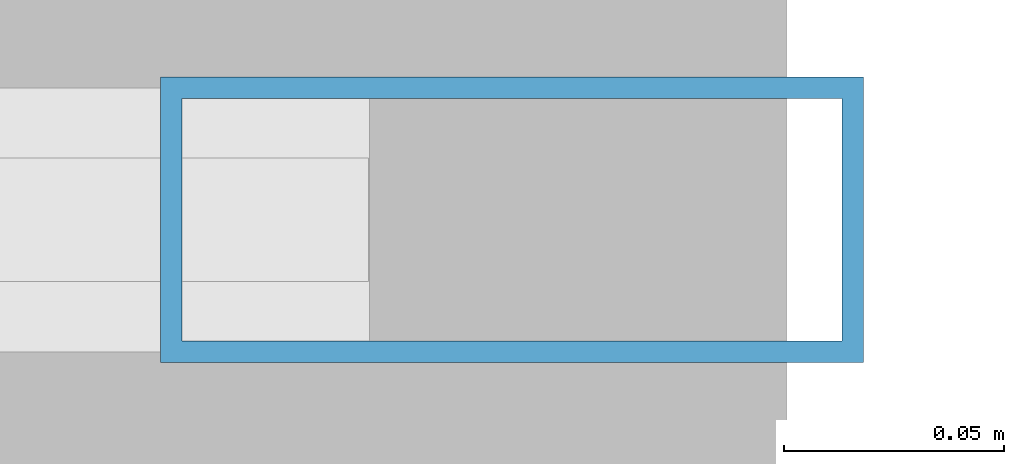
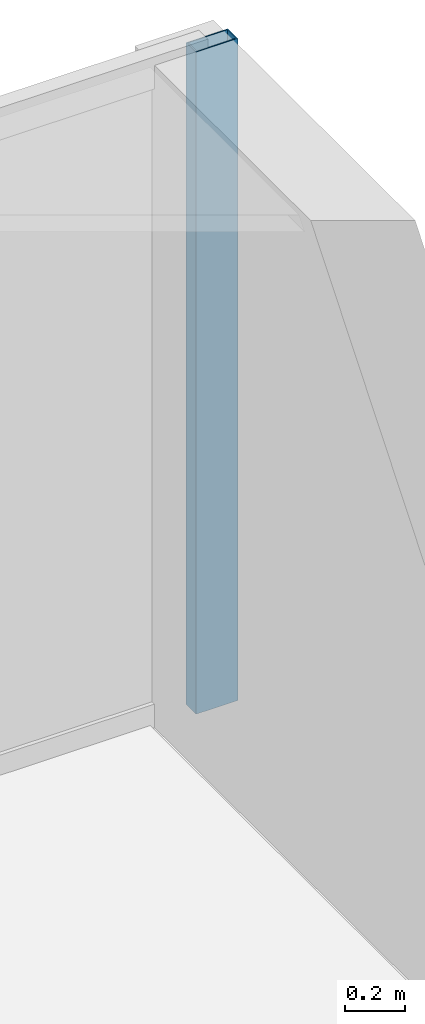
# One storey, part 26 of 36: 1 member, 1 element without a shape of its own.
"""IFC4 building model written with IfcOpenShell, lengths in metres."""

from ifc_helpers import new_model, si_unit, direction, frame, origin, origin_2d, place, context, subcontext, project, spatial, hollow_rectangle, extrude, source, transform, mapped, material, layer, layer_set, material_profile, profile_set, type_object, element, aggregate, save


model = new_model("IFC4")

# Units and contexts
model_context = context("Model", 3, precision=1e-05, world=origin(), true_north=direction((0.0, 1.0)))
body_context = subcontext(model_context, "Body", "Model", "MODEL_VIEW")
ifc_project = project(units=[si_unit("LENGTHUNIT", "METRE"), si_unit("AREAUNIT", "SQUARE_METRE"), si_unit("VOLUMEUNIT", "CUBIC_METRE"), si_unit("PLANEANGLEUNIT", "RADIAN"), si_unit("MASSUNIT", "GRAM", prefix="KILO")], contexts=[model_context])

# Site, building, storey
site_placement = place(None, origin())
site = spatial("IfcSite", under=ifc_project, at=site_placement, CompositionType="ELEMENT")
building_placement = place(site_placement, origin())
building = spatial("IfcBuilding", under=site, at=building_placement, Name="Sumidabori Civic Tower", CompositionType="ELEMENT")
storey_placement = place(building_placement, frame((0.0, 0.0, 120.800048828125)))
storey = spatial("IfcBuildingStorey", under=building, at=storey_placement, Name="L31", CompositionType="ELEMENT", Elevation=120.800048828125)

# Curtain wall, member
ifc_material = material(Name="Anodised Bronze Aluminium AW-6063-T6", Category="aluminium")
ifc_layer = layer(ifc_material, 0.179931640625, Name="Anodised Bronze Aluminium AW-6063-T6")
ifc_layer_set = layer_set([ifc_layer], Name="Anodised Bronze Aluminium AW-6063-T6")
curtain_wall_type = type_object("IfcCurtainWallType", Name="CW-SYS-3", PredefinedType="NOTDEFINED", material=ifc_layer_set)
curtain_wall_placement = place(storey_placement, origin())
curtain_wall = element("IfcCurtainWall", 1, at=curtain_wall_placement, inside=storey, type_object=curtain_wall_type, Name="Curtain Wall CW:L31:R07", PredefinedType="NOTDEFINED")
ifc_material_profile = material_profile(ifc_material, hollow_rectangle(XDim=0.06494140625, YDim=0.159912109375, WallThickness=0.0048828125, at=origin_2d()), Name="ALU MULLION 160x65")
ifc_profile_set = profile_set([ifc_material_profile], Name="Anodised Bronze Aluminium AW-6063-T6")
member_type = type_object("IfcMemberType", Name="CW-MUL-160", PredefinedType="MULLION", material=ifc_profile_set)
shared_shape = source(origin(), body_context, "Body", "SweptSolid", [
    extrude(hollow_rectangle(XDim=0.06494140625, YDim=0.159912109375, WallThickness=0.0048828125, at=origin_2d()), origin(), (0.0, 0.0, 1.0), 2.679931640625),
])
member_placement = place(storey_placement, frame((20.1875, 25.280029296875, 0.0), z_axis=(0.0, 0.0, 1.0), x_axis=(0.0, -1.0, 0.0)))
member = element("IfcMember", 2, at=member_placement, type_object=member_type, Name="CW-3 mullion 1", PredefinedType="MULLION", context=body_context, shape_type="MappedRepresentation", body=[
    mapped(shared_shape, transform((0.0, 0.0, 0.0), x_axis=(1.0, 0.0, 0.0), y_axis=(0.0, 1.0, 0.0), z_axis=(0.0, 0.0, 1.0), scale=1.0)),
])
aggregate(curtain_wall, [member])

save(model, "model.ifc")
